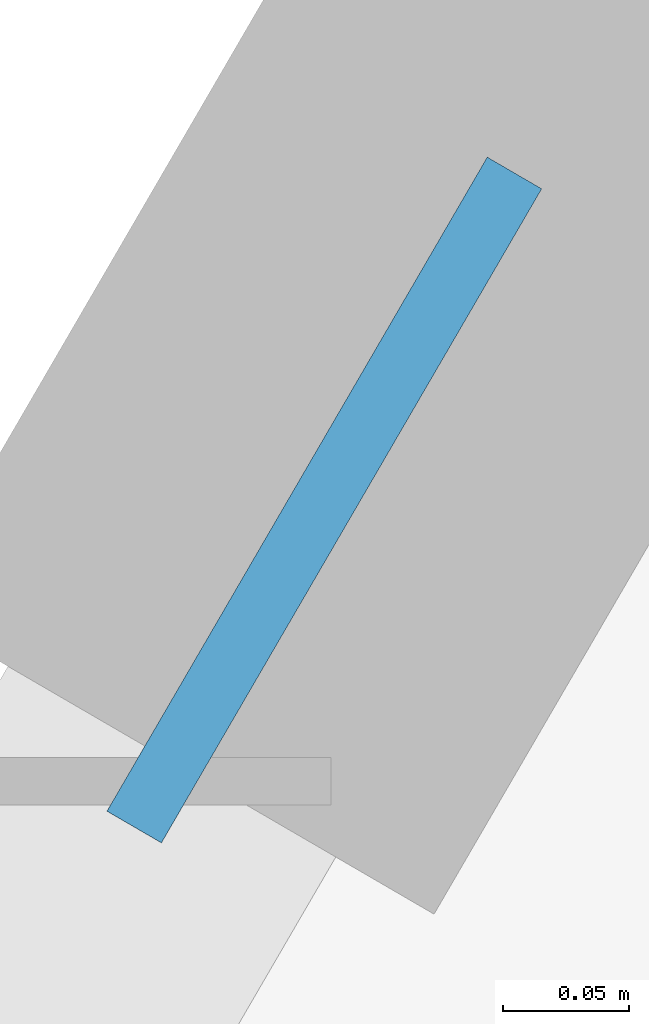
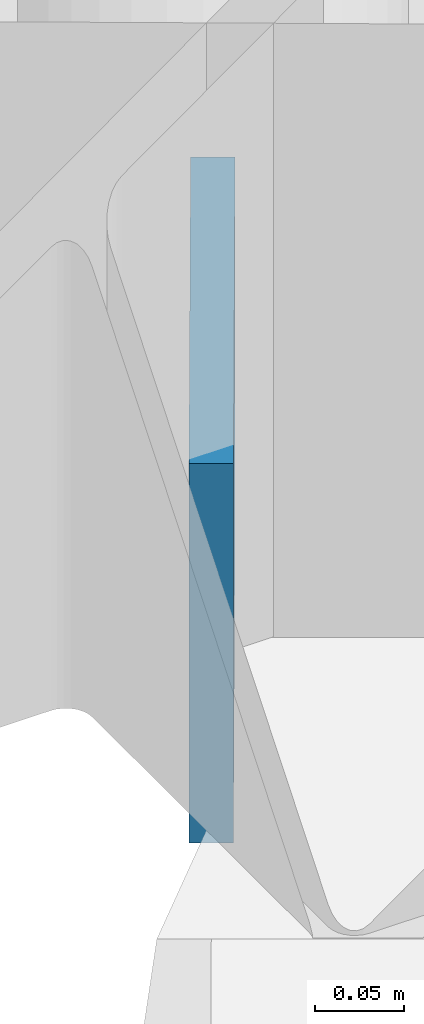
# One storey, part 114 of 147: 1 plate.
"""IFC4 building model written with IfcOpenShell, lengths in metres."""

from ifc_helpers import new_model, si_unit, direction, frame, origin, origin_2d, place, context, subcontext, project, spatial, rectangle, extrude, material, layer, layer_set, type_object, element, save


model = new_model("IFC4")

# Units and contexts
model_context = context("Model", 3, precision=1e-05, world=origin(), true_north=direction((0.0, 1.0)))
body_context = subcontext(model_context, "Body", "Model", "MODEL_VIEW")
ifc_project = project(units=[si_unit("LENGTHUNIT", "METRE"), si_unit("AREAUNIT", "SQUARE_METRE"), si_unit("VOLUMEUNIT", "CUBIC_METRE"), si_unit("PLANEANGLEUNIT", "RADIAN"), si_unit("MASSUNIT", "GRAM", prefix="KILO")], contexts=[model_context])

# Site, building, storey
site_placement = place(None, origin())
site = spatial("IfcSite", under=ifc_project, at=site_placement, CompositionType="ELEMENT")
building_placement = place(site_placement, origin())
building = spatial("IfcBuilding", under=site, at=building_placement, Name="Karori Crest Natural Sciences Institute", CompositionType="ELEMENT")
storey_placement = place(building_placement, frame((0.0, 0.0, 9.10009765625)))
storey = spatial("IfcBuildingStorey", under=building, at=storey_placement, Name="L02", CompositionType="ELEMENT", Elevation=9.10009765625)

# Plate
ifc_material = material(Name="Structural steel AS/NZS 3679.1 Grade 350", Category="steel")
ifc_layer = layer(ifc_material, 0.02490234375, Name="Structural steel AS/NZS 3679.1 Grade 350")
ifc_layer_set = layer_set([ifc_layer], Name="Structural steel AS/NZS 3679.1 Grade 350")
plate_type = type_object("IfcPlateType", Name="PLT-06", PredefinedType="SHEET", material=ifc_layer_set)
plate_placement = place(storey_placement, frame((83.80419921875, 27.390380859375, -0.11962890625), z_axis=(0.0, 0.0, 1.0), x_axis=(0.502651840669, 0.86448893982, 0.0)))
element("IfcPlate", 1, at=plate_placement, inside=storey, type_object=plate_type, Name="Brace gusset plate EP-0031", PredefinedType="SHEET", context=body_context, shape_type="SweptSolid", body=[
    extrude(rectangle(XDim=0.299072265625, YDim=0.02490234375, at=origin_2d()), origin(), (0.0, 0.0, 1.0), 0.259033203125),
])

save(model, "model.ifc")
